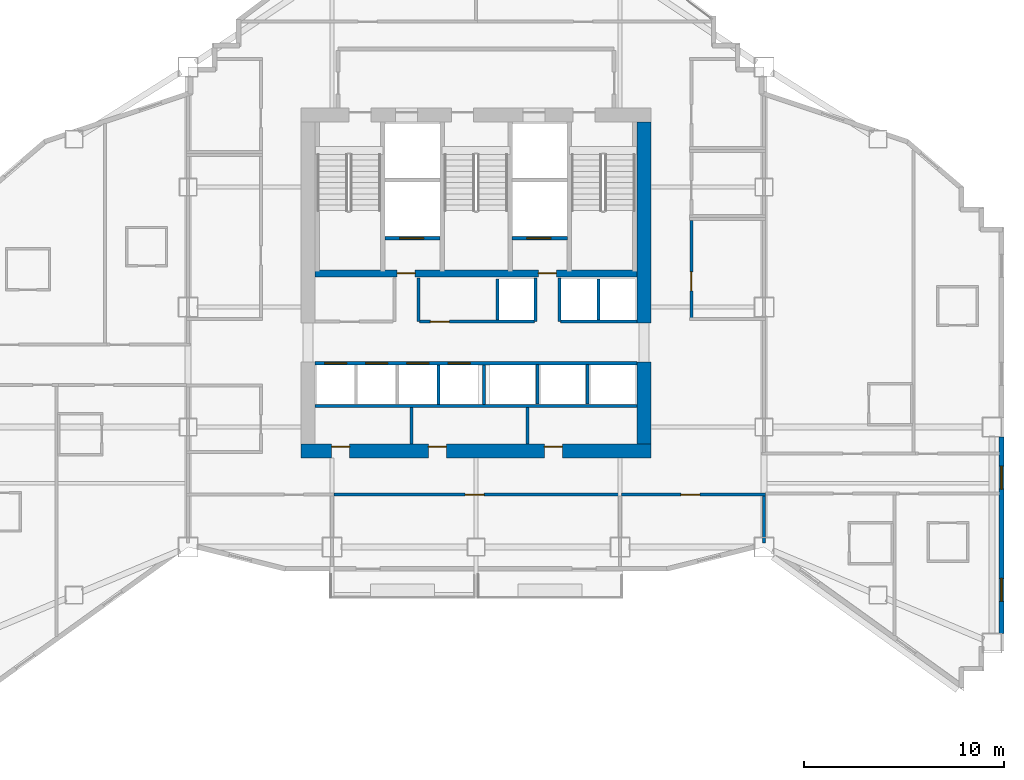
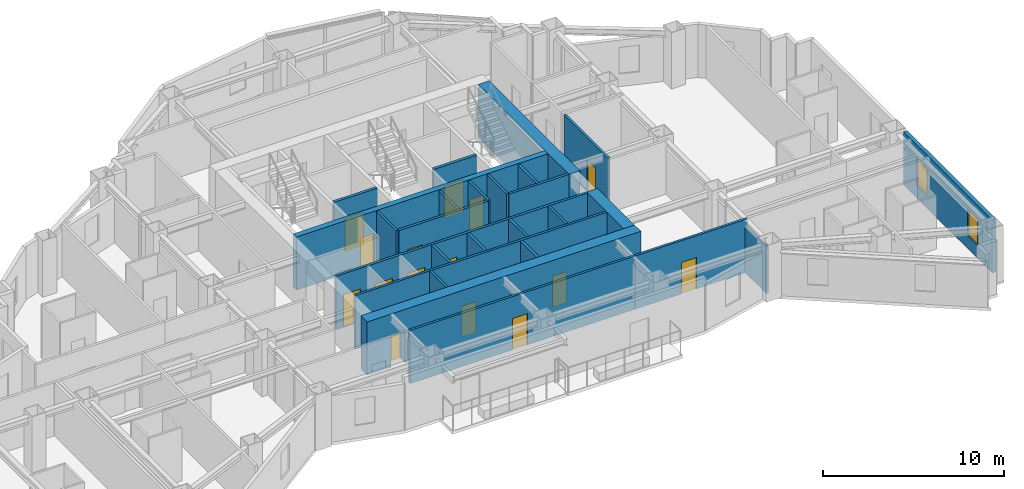
# One storey, part 7 of 14: 26 walls, 15 doors, 2 windows, 17 openings.
"""IFC4 building model written with IfcOpenShell, lengths in metres."""

from ifc_helpers import new_model, si_unit, direction, frame, frame_2d, origin, place, context, subcontext, project, spatial, rectangle, extrude, material, layer, layer_set, type_object, element, fill, save


model = new_model("IFC4")

# Units and contexts
model_context = context("Model", 3, precision=1e-05, world=origin(), true_north=direction((0.0, 1.0)))
body_context = subcontext(model_context, "Body", "Model", "MODEL_VIEW")
ifc_project = project(units=[si_unit("LENGTHUNIT", "METRE"), si_unit("AREAUNIT", "SQUARE_METRE"), si_unit("VOLUMEUNIT", "CUBIC_METRE"), si_unit("PLANEANGLEUNIT", "RADIAN"), si_unit("MASSUNIT", "GRAM", prefix="KILO")], contexts=[model_context])

# Site, building, storey
site_placement = place(None, origin())
site = spatial("IfcSite", under=ifc_project, at=site_placement, CompositionType="ELEMENT")
building_placement = place(site_placement, origin())
building = spatial("IfcBuilding", under=site, at=building_placement, Name="Haolan Belvedere Tower", CompositionType="ELEMENT")
storey_placement = place(building_placement, frame((0.0, 0.0, 109.800048828125)))
storey = spatial("IfcBuildingStorey", under=building, at=storey_placement, Name="L27", CompositionType="ELEMENT", Elevation=109.800048828125)

# Wall, openings, doors
ifc_material_1 = material(Name="Concrete C60/75", Category="concrete")
ifc_layer_1 = layer(ifc_material_1, 0.699951171875, Name="Concrete C60/75")
ifc_layer_set_1 = layer_set([ifc_layer_1], Name="Concrete C60/75")
wall_type_1 = type_object("IfcWallType", Name="WL-CORE-700", PredefinedType="SHEAR", material=ifc_layer_set_1)
wall_1_placement = place(storey_placement, frame((29.64990234375, 26.39990234375, 0.0), z_axis=(0.0, 0.0, 1.0), x_axis=(1.0, 0.0, 0.0)))
wall_1 = element("IfcWall", 1, at=wall_1_placement, inside=storey, type_object=wall_type_1, Name="L27 central core south shear wall", PredefinedType="SHEAR", context=body_context, shape_type="SweptSolid", body=[
    extrude(rectangle(XDim=17.5, YDim=0.699951171875, at=frame_2d((8.75, 0.0))), origin(), (0.0, 0.0, 1.0), 3.599853515625),
])
opening_1_placement = place(wall_1_placement, frame((2.419921875, 0.0, 0.0), z_axis=(0.0, 0.0, 1.0), x_axis=(-1.0, 0.0, 0.0)))
opening_1 = element("IfcOpeningElement", 2, at=opening_1_placement, cuts=wall_1, Name="Opening FD-05", PredefinedType="OPENING", context=body_context, shape_type="SweptSolid", body=[
    extrude(rectangle(XDim=0.89990234375, YDim=2.10009765625, at=frame_2d((0.449951171875, 1.050048828125))), frame((0.0, 0.35986328125, 0.0), z_axis=(0.0, -1.0, 0.0), x_axis=(1.0, 0.0, 0.0)), (0.0, 0.0, 1.0), 0.719970703125),
])
opening_2_placement = place(wall_1_placement, frame((7.260009765625, 0.0, 0.0), z_axis=(0.0, 0.0, 1.0), x_axis=(-1.0, 0.0, 0.0)))
opening_2 = element("IfcOpeningElement", 3, at=opening_2_placement, cuts=wall_1, Name="Opening FD-05", PredefinedType="OPENING", context=body_context, shape_type="SweptSolid", body=[
    extrude(rectangle(XDim=0.89990234375, YDim=2.10009765625, at=frame_2d((0.449951171875, 1.050048828125))), frame((0.0, 0.35986328125, 0.0), z_axis=(0.0, -1.0, 0.0), x_axis=(1.0, 0.0, 0.0)), (0.0, 0.0, 1.0), 0.719970703125),
])
opening_3_placement = place(wall_1_placement, frame((13.059814453125, 0.0, 0.0), z_axis=(0.0, 0.0, 1.0), x_axis=(-1.0, 0.0, 0.0)))
opening_3 = element("IfcOpeningElement", 4, at=opening_3_placement, cuts=wall_1, Name="Opening FD-05", PredefinedType="OPENING", context=body_context, shape_type="SweptSolid", body=[
    extrude(rectangle(XDim=0.89990234375, YDim=2.10009765625, at=frame_2d((0.449951171875, 1.050048828125))), frame((0.0, 0.35986328125, 0.0), z_axis=(0.0, -1.0, 0.0), x_axis=(1.0, 0.0, 0.0)), (0.0, 0.0, 1.0), 0.719970703125),
])
ifc_material_2 = material(Name="Galvanised fire-rated steel", Category="steel")
door_type_1 = type_object("IfcDoorType", Name="DR-FD60-900", OperationType="NOTDEFINED", PredefinedType="DOOR", material=ifc_material_2)
door_1_placement = place(opening_1_placement, origin())
door_1 = element("IfcDoor", 5, at=door_1_placement, inside=storey, type_object=door_type_1, Name="L27 door CD-L27-SCV-1", OperationType="SINGLE_SWING_LEFT", OverallHeight=2.10009765625, OverallWidth=0.89990234375, PredefinedType="DOOR", context=body_context, shape_type="SweptSolid", body=[
    extrude(rectangle(XDim=0.89990234375, YDim=2.10009765625, at=frame_2d((0.449951171875, 1.050048828125))), frame((0.0, -0.19482421875, 0.0), z_axis=(0.0, -1.0, 0.0), x_axis=(1.0, 0.0, 0.0)), (0.0, 0.0, 1.0), 0.050048828125),
])
fill(opening_1, door_1)
door_2_placement = place(opening_2_placement, origin())
door_2 = element("IfcDoor", 6, at=door_2_placement, inside=storey, type_object=door_type_1, Name="L27 door CD-L27-SCV-2", OperationType="SINGLE_SWING_RIGHT", OverallHeight=2.10009765625, OverallWidth=0.89990234375, PredefinedType="DOOR", context=body_context, shape_type="SweptSolid", body=[
    extrude(rectangle(XDim=0.89990234375, YDim=2.10009765625, at=frame_2d((0.449951171875, 1.050048828125))), frame((0.0, -0.19482421875, 0.0), z_axis=(0.0, -1.0, 0.0), x_axis=(1.0, 0.0, 0.0)), (0.0, 0.0, 1.0), 0.050048828125),
])
fill(opening_2, door_2)
door_3_placement = place(opening_3_placement, origin())
door_3 = element("IfcDoor", 7, at=door_3_placement, inside=storey, type_object=door_type_1, Name="L27 door CD-L27-SCV-3", OperationType="SINGLE_SWING_LEFT", OverallHeight=2.10009765625, OverallWidth=0.89990234375, PredefinedType="DOOR", context=body_context, shape_type="SweptSolid", body=[
    extrude(rectangle(XDim=0.89990234375, YDim=2.10009765625, at=frame_2d((0.449951171875, 1.050048828125))), frame((0.0, -0.19482421875, 0.0), z_axis=(0.0, -1.0, 0.0), x_axis=(1.0, 0.0, 0.0)), (0.0, 0.0, 1.0), 0.050048828125),
])
fill(opening_3, door_3)

# Walls
wall_2_placement = place(storey_placement, frame((46.800048828125, 26.75, 0.0), z_axis=(0.0, 0.0, 1.0), x_axis=(0.0, 1.0, 0.0)))
element("IfcWall", 8, at=wall_2_placement, inside=storey, type_object=wall_type_1, Name="L27 central core shear wall ES", PredefinedType="SHEAR", context=body_context, shape_type="SweptSolid", body=[
    extrude(rectangle(XDim=4.10009765625, YDim=0.699951171875, at=frame_2d((2.050048828125, 0.0))), origin(), (0.0, 0.0, 1.0), 3.599853515625),
])
wall_3_placement = place(storey_placement, frame((46.800048828125, 32.800048828125, 0.0), z_axis=(0.0, 0.0, 1.0), x_axis=(0.0, 1.0, 0.0)))
element("IfcWall", 9, at=wall_3_placement, inside=storey, type_object=wall_type_1, Name="L27 central core shear wall EN", PredefinedType="SHEAR", context=body_context, shape_type="SweptSolid", body=[
    extrude(rectangle(XDim=10.050048828125, YDim=0.699951171875, at=frame_2d((5.02490234375, 0.0))), origin(), (0.0, 0.0, 1.0), 3.599853515625),
])

# Wall, openings, windows
ifc_material_3 = material(Name="Precast concrete C40/50", Category="concrete")
ifc_layer_2 = layer(ifc_material_3, 0.239990234375, Name="Precast concrete C40/50")
ifc_layer_set_2 = layer_set([ifc_layer_2], Name="Precast concrete C40/50")
wall_type_2 = type_object("IfcWallType", Name="WL-EXT-240", PredefinedType="SOLIDWALL", material=ifc_layer_set_2)
wall_4_placement = place(storey_placement, frame((64.679931640625, 17.2919921875, 0.0), z_axis=(0.0, 0.0, 1.0), x_axis=(0.0, 1.0, 0.0)))
wall_4 = element("IfcWall", 10, at=wall_4_placement, inside=storey, type_object=wall_type_2, Name="L27 pale-metal exterior spandrel wall 14.1", PredefinedType="SOLIDWALL", context=body_context, shape_type="SweptSolid", body=[
    extrude(rectangle(XDim=9.81591796875, YDim=0.239990234375, at=frame_2d((4.907958984375, 0.0))), origin(), (0.0, 0.0, 1.0), 3.599853515625),
])
opening_4_placement = place(wall_4_placement, frame((1.60009765625, 0.0, 0.85009765625)))
opening_4 = element("IfcOpeningElement", 11, at=opening_4_placement, cuts=wall_4, Name="Opening W-02", PredefinedType="OPENING", context=body_context, shape_type="SweptSolid", body=[
    extrude(rectangle(XDim=1.14990234375, YDim=1.800048828125, at=frame_2d((0.574951171875, 0.89990234375))), frame((0.0, 0.1298828125, 0.0), z_axis=(0.0, -1.0, 0.0), x_axis=(1.0, 0.0, 0.0)), (0.0, 0.0, 1.0), 0.260009765625),
])
opening_5_placement = place(wall_4_placement, frame((7.212890625, 0.0, 0.85009765625)))
opening_5 = element("IfcOpeningElement", 12, at=opening_5_placement, cuts=wall_4, Name="Opening W-02", PredefinedType="OPENING", context=body_context, shape_type="SweptSolid", body=[
    extrude(rectangle(XDim=1.14990234375, YDim=1.800048828125, at=frame_2d((0.574951171875, 0.89990234375))), frame((0.0, 0.1298828125, 0.0), z_axis=(0.0, -1.0, 0.0), x_axis=(1.0, 0.0, 0.0)), (0.0, 0.0, 1.0), 0.260009765625),
])
ifc_material_4 = material(Name="Anodised aluminium 6063-T6 and Low-E glass", Category="aluminium")
window_type = type_object("IfcWindowType", Name="WN-DECO-Z2", PartitioningType="SINGLE_PANEL", PredefinedType="WINDOW", material=ifc_material_4)
window_1_placement = place(opening_4_placement, origin())
window_1 = element("IfcWindow", 13, at=window_1_placement, inside=storey, type_object=window_type, Name="L27 Art Deco chevron window 1", OverallHeight=1.800048828125, OverallWidth=1.14990234375, PartitioningType="SINGLE_PANEL", PredefinedType="WINDOW", context=body_context, shape_type="SweptSolid", body=[
    extrude(rectangle(XDim=1.14990234375, YDim=1.800048828125, at=frame_2d((0.574951171875, 0.89990234375))), frame((0.0, 0.030029296875, 0.0), z_axis=(0.0, -1.0, 0.0), x_axis=(1.0, 0.0, 0.0)), (0.0, 0.0, 1.0), 0.06005859375),
])
fill(opening_4, window_1)
window_2_placement = place(opening_5_placement, origin())
window_2 = element("IfcWindow", 14, at=window_2_placement, inside=storey, type_object=window_type, Name="L27 Art Deco chevron window 2", OverallHeight=1.800048828125, OverallWidth=1.14990234375, PartitioningType="SINGLE_PANEL", PredefinedType="WINDOW", context=body_context, shape_type="SweptSolid", body=[
    extrude(rectangle(XDim=1.14990234375, YDim=1.800048828125, at=frame_2d((0.574951171875, 0.89990234375))), frame((0.0, 0.030029296875, 0.0), z_axis=(0.0, -1.0, 0.0), x_axis=(1.0, 0.0, 0.0)), (0.0, 0.0, 1.0), 0.06005859375),
])
fill(opening_5, window_2)

# Walls
ifc_material_5 = material(Name="Double gypsum acoustic stud partition", Category="masonry")
ifc_layer_3 = layer(ifc_material_5, 0.14990234375, Name="Double gypsum acoustic stud partition")
ifc_layer_set_3 = layer_set([ifc_layer_3], Name="Double gypsum acoustic stud partition")
wall_type_3 = type_object("IfcWallType", Name="WL-PART-150", PredefinedType="PARTITIONING", material=ifc_layer_set_3)
wall_5_placement = place(storey_placement, frame((30.35009765625, 28.659912109375, 0.0), z_axis=(0.0, 0.0, 1.0), x_axis=(1.0, 0.0, 0.0)))
element("IfcWall", 15, at=wall_5_placement, inside=storey, type_object=wall_type_3, Name="L27 interior partition IW-L27-SSTRIP-N", PredefinedType="PARTITIONING", context=body_context, shape_type="SweptSolid", body=[
    extrude(rectangle(XDim=16.099853515625, YDim=0.14990234375, at=frame_2d((8.0498046875, 0.0))), origin(), (0.0, 0.0, 1.0), 3.599853515625),
])
for number, where, z_axis, x_axis, name in (
    (16, (35.179931640625, 26.760009765625, 0.0), (0.0, 0.0, 1.0), (0.0, 1.0, 0.0), "L27 interior partition IW-L27-SCV-DIV-1"),
    (17, (40.97998046875, 26.760009765625, 0.0), (0.0, 0.0, 1.0), (0.0, 1.0, 0.0), "L27 interior partition IW-L27-SCV-DIV-2"),
):
    element("IfcWall", number, at=place(storey_placement, frame(where, z_axis=z_axis, x_axis=x_axis)), inside=storey, type_object=wall_type_3, Name=name, PredefinedType="PARTITIONING", context=body_context, shape_type="SweptSolid", body=[
        extrude(rectangle(XDim=1.820068359375, YDim=0.14990234375, at=frame_2d((0.91015625, 0.0))), origin(), (0.0, 0.0, 1.0), 3.599853515625),
    ])

# Wall, opening, door
wall_6_placement = place(storey_placement, frame((49.159912109375, 33.06005859375, 0.0), z_axis=(0.0, 0.0, 1.0), x_axis=(0.0, 1.0, 0.0)))
wall_6 = element("IfcWall", 18, at=wall_6_placement, inside=storey, type_object=wall_type_3, Name="L27 interior partition IW-L27-BPN-W", PredefinedType="PARTITIONING", context=body_context, shape_type="SweptSolid", body=[
    extrude(rectangle(XDim=4.8798828125, YDim=0.14990234375, at=frame_2d((2.43994140625, 0.0))), origin(), (0.0, 0.0, 1.0), 3.599853515625),
])
opening_6_placement = place(wall_6_placement, frame((1.360107421875, 0.0, 0.0)))
opening_6 = element("IfcOpeningElement", 19, at=opening_6_placement, cuts=wall_6, Name="Opening ID-03", PredefinedType="OPENING", context=body_context, shape_type="SweptSolid", body=[
    extrude(rectangle(XDim=0.949951171875, YDim=2.1201171875, at=frame_2d((0.47509765625, 1.06005859375))), frame((0.0, 0.0849609375, 0.0), z_axis=(0.0, -1.0, 0.0), x_axis=(1.0, 0.0, 0.0)), (0.0, 0.0, 1.0), 0.169921875),
])
ifc_material_6 = material(Name="Painted solid-core timber", Category="wood")
door_type_2 = type_object("IfcDoorType", Name="DR-INT-950", OperationType="NOTDEFINED", PredefinedType="DOOR", material=ifc_material_6)
door_4_placement = place(opening_6_placement, origin())
door_4 = element("IfcDoor", 20, at=door_4_placement, inside=storey, type_object=door_type_2, Name="L27 door ID-L27-BPN", OperationType="SINGLE_SWING_RIGHT", OverallHeight=2.1201171875, OverallWidth=0.949951171875, PredefinedType="DOOR", context=body_context, shape_type="SweptSolid", body=[
    extrude(rectangle(XDim=0.949951171875, YDim=2.1201171875, at=frame_2d((0.47509765625, 1.06005859375))), frame((0.0, 0.02490234375, 0.0), z_axis=(0.0, -1.0, 0.0), x_axis=(1.0, 0.0, 0.0)), (0.0, 0.0, 1.0), 0.050048828125),
])
fill(opening_6, door_4)

wall_7_placement = place(storey_placement, frame((31.281982421875, 24.219970703125, 0.0), z_axis=(0.0, 0.0, 1.0), x_axis=(1.0, 0.0, 0.0)))
wall_7 = element("IfcWall", 21, at=wall_7_placement, inside=storey, type_object=wall_type_3, Name="L27 interior partition IW-L27-KS2-N", PredefinedType="PARTITIONING", context=body_context, shape_type="SweptSolid", body=[
    extrude(rectangle(XDim=14.39794921875, YDim=0.14990234375, at=frame_2d((7.198974609375, 0.0))), origin(), (0.0, 0.0, 1.0), 3.599853515625),
])
opening_7_placement = place(wall_7_placement, frame((7.512939453125, 0.0, 0.0), z_axis=(0.0, 0.0, 1.0), x_axis=(-1.0, 0.0, 0.0)))
opening_7 = element("IfcOpeningElement", 22, at=opening_7_placement, cuts=wall_7, Name="Opening ID-03", PredefinedType="OPENING", context=body_context, shape_type="SweptSolid", body=[
    extrude(rectangle(XDim=0.949951171875, YDim=2.1201171875, at=frame_2d((0.47509765625, 1.06005859375))), frame((0.0, 0.0849609375, 0.0), z_axis=(0.0, -1.0, 0.0), x_axis=(1.0, 0.0, 0.0)), (0.0, 0.0, 1.0), 0.169921875),
])
door_5_placement = place(opening_7_placement, origin())
door_5 = element("IfcDoor", 23, at=door_5_placement, inside=storey, type_object=door_type_2, Name="L27 door ID-L27-KS2", OperationType="SINGLE_SWING_RIGHT", OverallHeight=2.1201171875, OverallWidth=0.949951171875, PredefinedType="DOOR", context=body_context, shape_type="SweptSolid", body=[
    extrude(rectangle(XDim=0.949951171875, YDim=2.1201171875, at=frame_2d((0.47509765625, 1.06005859375))), frame((0.0, 0.02490234375, 0.0), z_axis=(0.0, -1.0, 0.0), x_axis=(1.0, 0.0, 0.0)), (0.0, 0.0, 1.0), 0.050048828125),
])
fill(opening_7, door_5)

wall_8_placement = place(storey_placement, frame((45.681884765625, 24.219970703125, 0.0), z_axis=(0.0, 0.0, 1.0), x_axis=(1.0, 0.0, 0.0)))
wall_8 = element("IfcWall", 24, at=wall_8_placement, inside=storey, type_object=wall_type_3, Name="L27 interior partition IW-L27-KS3-N", PredefinedType="PARTITIONING", context=body_context, shape_type="SweptSolid", body=[
    extrude(rectangle(XDim=7.197998046875, YDim=0.14990234375, at=frame_2d((3.59912109375, 0.0))), origin(), (0.0, 0.0, 1.0), 3.599853515625),
])
opening_8_placement = place(wall_8_placement, frame((3.912841796875, 0.0, 0.0), z_axis=(0.0, 0.0, 1.0), x_axis=(-1.0, 0.0, 0.0)))
opening_8 = element("IfcOpeningElement", 25, at=opening_8_placement, cuts=wall_8, Name="Opening ID-03", PredefinedType="OPENING", context=body_context, shape_type="SweptSolid", body=[
    extrude(rectangle(XDim=0.949951171875, YDim=2.1201171875, at=frame_2d((0.47509765625, 1.06005859375))), frame((0.0, 0.0849609375, 0.0), z_axis=(0.0, -1.0, 0.0), x_axis=(1.0, 0.0, 0.0)), (0.0, 0.0, 1.0), 0.169921875),
])
door_6_placement = place(opening_8_placement, origin())
door_6 = element("IfcDoor", 26, at=door_6_placement, inside=storey, type_object=door_type_2, Name="L27 door ID-L27-KS3", OperationType="SINGLE_SWING_LEFT", OverallHeight=2.1201171875, OverallWidth=0.949951171875, PredefinedType="DOOR", context=body_context, shape_type="SweptSolid", body=[
    extrude(rectangle(XDim=0.949951171875, YDim=2.1201171875, at=frame_2d((0.47509765625, 1.06005859375))), frame((0.0, 0.02490234375, 0.0), z_axis=(0.0, -1.0, 0.0), x_axis=(1.0, 0.0, 0.0)), (0.0, 0.0, 1.0), 0.050048828125),
])
fill(opening_8, door_6)

# Walls
wall_9_placement = place(storey_placement, frame((52.800048828125, 21.818603515625, 0.0), z_axis=(0.0, 0.0, 1.0), x_axis=(0.0, 1.0, 0.0)))
element("IfcWall", 27, at=wall_9_placement, inside=storey, type_object=wall_type_3, Name="L27 interior partition IW-L27-KS3-E", PredefinedType="PARTITIONING", context=body_context, shape_type="SweptSolid", body=[
    extrude(rectangle(XDim=2.34130859375, YDim=0.14990234375, at=frame_2d((1.170654296875, 0.0))), origin(), (0.0, 0.0, 1.0), 3.14501953125),
])
ifc_material_7 = material(Name="Gypsum fire shaftwall assembly", Category="masonry")
ifc_layer_4 = layer(ifc_material_7, 0.1650390625, Name="Gypsum fire shaftwall assembly")
ifc_layer_set_4 = layer_set([ifc_layer_4], Name="Gypsum fire shaftwall assembly")
wall_type_4 = type_object("IfcWallType", Name="WL-SHAFT-160", PredefinedType="SOLIDWALL", material=ifc_layer_set_4)
for number, where, z_axis, x_axis, name in (
    (28, (35.510009765625, 32.8798828125, 0.0), (0.0, 0.0, 1.0), (0.0, 1.0, 0.0), "L27 interior partition IW-L27-SVP-E-SV1"),
    (29, (41.3701171875, 32.8798828125, 0.0), (0.0, 0.0, 1.0), (0.0, 1.0, 0.0), "L27 interior partition IW-L27-SVP-W-SV2"),
    (30, (42.570068359375, 32.8798828125, 0.0), (0.0, 0.0, 1.0), (0.0, 1.0, 0.0), "L27 interior partition IW-L27-SVP-E-SV2"),
):
    element("IfcWall", number, at=place(storey_placement, frame(where, z_axis=z_axis, x_axis=x_axis)), inside=storey, type_object=wall_type_4, Name=name, PredefinedType="SOLIDWALL", context=body_context, shape_type="SweptSolid", body=[
        extrude(rectangle(XDim=2.170166015625, YDim=0.14990234375, at=frame_2d((1.0849609375, 0.0))), origin(), (0.0, 0.0, 1.0), 3.599853515625),
    ])

# Wall, opening, door
wall_10_placement = place(storey_placement, frame((35.570068359375, 32.8798828125, 0.0), z_axis=(0.0, 0.0, 1.0), x_axis=(1.0, 0.0, 0.0)))
wall_10 = element("IfcWall", 31, at=wall_10_placement, inside=storey, type_object=wall_type_4, Name="L27 interior partition IW-L27-ROW-PN2", PredefinedType="SOLIDWALL", context=body_context, shape_type="SweptSolid", body=[
    extrude(rectangle(XDim=5.739990234375, YDim=0.159912109375, at=frame_2d((2.8701171875, 0.0))), origin(), (0.0, 0.0, 1.0), 3.599853515625),
])
opening_9_placement = place(wall_10_placement, frame((1.489990234375, 0.0, 0.0), z_axis=(0.0, 0.0, 1.0), x_axis=(-1.0, 0.0, 0.0)))
opening_9 = element("IfcOpeningElement", 32, at=opening_9_placement, cuts=wall_10, Name="Opening ID-03", PredefinedType="OPENING", context=body_context, shape_type="SweptSolid", body=[
    extrude(rectangle(XDim=0.949951171875, YDim=2.1201171875, at=frame_2d((0.47509765625, 1.06005859375))), frame((0.0, 0.08984375, 0.0), z_axis=(0.0, -1.0, 0.0), x_axis=(1.0, 0.0, 0.0)), (0.0, 0.0, 1.0), 0.179931640625),
])
door_7_placement = place(opening_9_placement, origin())
door_7 = element("IfcDoor", 33, at=door_7_placement, inside=storey, type_object=door_type_2, Name="L27 door ID-L27-CD-RPLE", OperationType="SINGLE_SWING_RIGHT", OverallHeight=2.1201171875, OverallWidth=0.949951171875, PredefinedType="DOOR", context=body_context, shape_type="SweptSolid", body=[
    extrude(rectangle(XDim=0.949951171875, YDim=2.1201171875, at=frame_2d((0.47509765625, 1.06005859375))), frame((0.0, 0.02490234375, 0.0), z_axis=(0.0, -1.0, 0.0), x_axis=(1.0, 0.0, 0.0)), (0.0, 0.0, 1.0), 0.050048828125),
])
fill(opening_9, door_7)

# Walls
wall_11_placement = place(storey_placement, frame((42.6298828125, 32.8798828125, 0.0), z_axis=(0.0, 0.0, 1.0), x_axis=(1.0, 0.0, 0.0)))
element("IfcWall", 34, at=wall_11_placement, inside=storey, type_object=wall_type_4, Name="L27 interior partition IW-L27-ROW-PN3", PredefinedType="SOLIDWALL", context=body_context, shape_type="SweptSolid", body=[
    extrude(rectangle(XDim=3.820068359375, YDim=0.159912109375, at=frame_2d((1.91015625, 0.0))), origin(), (0.0, 0.0, 1.0), 3.599853515625),
])
for number, where, z_axis, x_axis, name in (
    (35, (39.469970703125, 32.949951171875, 0.0), (0.0, 0.0, 1.0), (0.0, 1.0, 0.0), "L27 interior partition IW-L27-DIV-PL4R"),
    (36, (44.530029296875, 32.949951171875, 0.0), (0.0, 0.0, 1.0), (0.0, 1.0, 0.0), "L27 interior partition IW-L27-DIV-PH2"),
):
    element("IfcWall", number, at=place(storey_placement, frame(where, z_axis=z_axis, x_axis=x_axis)), inside=storey, type_object=wall_type_4, Name=name, PredefinedType="SOLIDWALL", context=body_context, shape_type="SweptSolid", body=[
        extrude(rectangle(XDim=2.050048828125, YDim=0.14990234375, at=frame_2d((1.02490234375, 0.0))), origin(), (0.0, 0.0, 1.0), 3.599853515625),
    ])

# Wall, openings, doors
wall_12_placement = place(storey_placement, frame((30.35009765625, 30.800048828125, 0.0), z_axis=(0.0, 0.0, 1.0), x_axis=(1.0, 0.0, 0.0)))
wall_12 = element("IfcWall", 37, at=wall_12_placement, inside=storey, type_object=wall_type_4, Name="L27 interior partition IW-L27-ROW-PS", PredefinedType="SOLIDWALL", context=body_context, shape_type="SweptSolid", body=[
    extrude(rectangle(XDim=16.099853515625, YDim=0.159912109375, at=frame_2d((8.0498046875, 0.0))), origin(), (0.0, 0.0, 1.0), 3.599853515625),
])
opening_10_placement = place(wall_12_placement, frame((0.469970703125, 0.0, 0.0)))
opening_10 = element("IfcOpeningElement", 38, at=opening_10_placement, cuts=wall_12, Name="Opening LD-01", PredefinedType="OPENING", context=body_context, shape_type="SweptSolid", body=[
    extrude(rectangle(XDim=1.10009765625, YDim=2.199951171875, at=frame_2d((0.550048828125, 1.10009765625))), frame((0.0, 0.08984375, 0.0), z_axis=(0.0, -1.0, 0.0), x_axis=(1.0, 0.0, 0.0)), (0.0, 0.0, 1.0), 0.179931640625),
])
opening_11_placement = place(wall_12_placement, frame((2.530029296875, 0.0, 0.0)))
opening_11 = element("IfcOpeningElement", 39, at=opening_11_placement, cuts=wall_12, Name="Opening LD-01", PredefinedType="OPENING", context=body_context, shape_type="SweptSolid", body=[
    extrude(rectangle(XDim=1.10009765625, YDim=2.199951171875, at=frame_2d((0.550048828125, 1.10009765625))), frame((0.0, 0.08984375, 0.0), z_axis=(0.0, -1.0, 0.0), x_axis=(1.0, 0.0, 0.0)), (0.0, 0.0, 1.0), 0.179931640625),
])
opening_12_placement = place(wall_12_placement, frame((4.590087890625, 0.0, 0.0)))
opening_12 = element("IfcOpeningElement", 40, at=opening_12_placement, cuts=wall_12, Name="Opening LD-01", PredefinedType="OPENING", context=body_context, shape_type="SweptSolid", body=[
    extrude(rectangle(XDim=1.10009765625, YDim=2.199951171875, at=frame_2d((0.550048828125, 1.10009765625))), frame((0.0, 0.08984375, 0.0), z_axis=(0.0, -1.0, 0.0), x_axis=(1.0, 0.0, 0.0)), (0.0, 0.0, 1.0), 0.179931640625),
])
opening_13_placement = place(wall_12_placement, frame((6.64990234375, 0.0, 0.0)))
opening_13 = element("IfcOpeningElement", 41, at=opening_13_placement, cuts=wall_12, Name="Opening LD-01", PredefinedType="OPENING", context=body_context, shape_type="SweptSolid", body=[
    extrude(rectangle(XDim=1.10009765625, YDim=2.199951171875, at=frame_2d((0.550048828125, 1.10009765625))), frame((0.0, 0.08984375, 0.0), z_axis=(0.0, -1.0, 0.0), x_axis=(1.0, 0.0, 0.0)), (0.0, 0.0, 1.0), 0.179931640625),
])
ifc_material_8 = material(Name="Brushed champagne stainless steel 316L", Category="steel")
door_type_3 = type_object("IfcDoorType", Name="DR-LIFT-1100", OperationType="SLIDING_TO_LEFT", PredefinedType="DOOR", material=ifc_material_8)
door_8_placement = place(opening_10_placement, origin())
door_8 = element("IfcDoor", 42, at=door_8_placement, inside=storey, type_object=door_type_3, Name="L27 door ID-L27-LD-PM1", OperationType="SLIDING_TO_LEFT", OverallHeight=2.199951171875, OverallWidth=1.10009765625, PredefinedType="DOOR", context=body_context, shape_type="SweptSolid", body=[
    extrude(rectangle(XDim=1.10009765625, YDim=2.199951171875, at=frame_2d((0.550048828125, 1.10009765625))), frame((0.0, 0.02490234375, 0.0), z_axis=(0.0, -1.0, 0.0), x_axis=(1.0, 0.0, 0.0)), (0.0, 0.0, 1.0), 0.050048828125),
])
fill(opening_10, door_8)
door_9_placement = place(opening_11_placement, origin())
door_9 = element("IfcDoor", 43, at=door_9_placement, inside=storey, type_object=door_type_3, Name="L27 door ID-L27-LD-PM2", OperationType="SLIDING_TO_LEFT", OverallHeight=2.199951171875, OverallWidth=1.10009765625, PredefinedType="DOOR", context=body_context, shape_type="SweptSolid", body=[
    extrude(rectangle(XDim=1.10009765625, YDim=2.199951171875, at=frame_2d((0.550048828125, 1.10009765625))), frame((0.0, 0.02490234375, 0.0), z_axis=(0.0, -1.0, 0.0), x_axis=(1.0, 0.0, 0.0)), (0.0, 0.0, 1.0), 0.050048828125),
])
fill(opening_11, door_9)
door_10_placement = place(opening_12_placement, origin())
door_10 = element("IfcDoor", 44, at=door_10_placement, inside=storey, type_object=door_type_3, Name="L27 door ID-L27-LD-PM3", OperationType="SLIDING_TO_LEFT", OverallHeight=2.199951171875, OverallWidth=1.10009765625, PredefinedType="DOOR", context=body_context, shape_type="SweptSolid", body=[
    extrude(rectangle(XDim=1.10009765625, YDim=2.199951171875, at=frame_2d((0.550048828125, 1.10009765625))), frame((0.0, 0.02490234375, 0.0), z_axis=(0.0, -1.0, 0.0), x_axis=(1.0, 0.0, 0.0)), (0.0, 0.0, 1.0), 0.050048828125),
])
fill(opening_12, door_10)
door_11_placement = place(opening_13_placement, origin())
door_11 = element("IfcDoor", 45, at=door_11_placement, inside=storey, type_object=door_type_3, Name="L27 door ID-L27-LD-PM4", OperationType="SLIDING_TO_LEFT", OverallHeight=2.199951171875, OverallWidth=1.10009765625, PredefinedType="DOOR", context=body_context, shape_type="SweptSolid", body=[
    extrude(rectangle(XDim=1.10009765625, YDim=2.199951171875, at=frame_2d((0.550048828125, 1.10009765625))), frame((0.0, 0.02490234375, 0.0), z_axis=(0.0, -1.0, 0.0), x_axis=(1.0, 0.0, 0.0)), (0.0, 0.0, 1.0), 0.050048828125),
])
fill(opening_13, door_11)

# Walls
for number, where, z_axis, x_axis, name in (
    (46, (36.52001953125, 28.735107421875, 0.0), (0.0, 0.0, 1.0), (0.0, 1.0, 0.0), "L27 interior partition IW-L27-DIV-PM3"),
    (47, (38.800048828125, 28.735107421875, 0.0), (0.0, 0.0, 1.0), (0.0, 1.0, 0.0), "L27 interior partition IW-L27-DIV-PM4"),
):
    element("IfcWall", number, at=place(storey_placement, frame(where, z_axis=z_axis, x_axis=x_axis)), inside=storey, type_object=wall_type_4, Name=name, PredefinedType="SOLIDWALL", context=body_context, shape_type="SweptSolid", body=[
        extrude(rectangle(XDim=1.98486328125, YDim=0.14990234375, at=frame_2d((0.992431640625, 0.0))), origin(), (0.0, 0.0, 1.0), 3.599853515625),
    ])
for number, where, z_axis, x_axis, name in (
    (48, (41.469970703125, 28.75, 0.0), (0.0, 0.0, 1.0), (0.0, 1.0, 0.0), "L27 interior partition IW-L27-DIV-OB1"),
    (49, (43.97998046875, 28.75, 0.0), (0.0, 0.0, 1.0), (0.0, 1.0, 0.0), "L27 interior partition IW-L27-DIV-OB2"),
):
    element("IfcWall", number, at=place(storey_placement, frame(where, z_axis=z_axis, x_axis=x_axis)), inside=storey, type_object=wall_type_4, Name=name, PredefinedType="SOLIDWALL", context=body_context, shape_type="SweptSolid", body=[
        extrude(rectangle(XDim=1.985107421875, YDim=0.14990234375, at=frame_2d((0.99267578125, 0.0))), origin(), (0.0, 0.0, 1.0), 3.599853515625),
    ])

# Wall, opening, door
ifc_layer_5 = layer(ifc_material_3, 0.179931640625, Name="Precast concrete C40/50")
ifc_layer_set_5 = layer_set([ifc_layer_5], Name="Precast concrete C40/50")
wall_type_5 = type_object("IfcWallType", Name="WL-SHAFT-180", PredefinedType="SOLIDWALL", material=ifc_layer_set_5)
wall_13_placement = place(storey_placement, frame((33.8349609375, 37.050048828125, 0.0), z_axis=(0.0, 0.0, 1.0), x_axis=(1.0, 0.0, 0.0)))
wall_13 = element("IfcWall", 50, at=wall_13_placement, inside=storey, type_object=wall_type_5, Name="L27 interior partition IW-L27-SV1-S", PredefinedType="SOLIDWALL", context=body_context, shape_type="SweptSolid", body=[
    extrude(rectangle(XDim=2.77001953125, YDim=0.179931640625, at=frame_2d((1.385009765625, 0.0))), origin(), (0.0, 0.0, 1.0), 3.599853515625),
])
opening_14_placement = place(wall_13_placement, frame((1.945068359375, 0.0, 0.0), z_axis=(0.0, 0.0, 1.0), x_axis=(-1.0, 0.0, 0.0)))
opening_14 = element("IfcOpeningElement", 51, at=opening_14_placement, cuts=wall_13, Name="Opening LD-02", PredefinedType="OPENING", context=body_context, shape_type="SweptSolid", body=[
    extrude(rectangle(XDim=1.199951171875, YDim=2.199951171875, at=frame_2d((0.60009765625, 1.10009765625))), frame((0.0, 0.099853515625, 0.0), z_axis=(0.0, -1.0, 0.0), x_axis=(1.0, 0.0, 0.0)), (0.0, 0.0, 1.0), 0.199951171875),
])
door_type_4 = type_object("IfcDoorType", Name="DR-LIFT-1200", OperationType="SLIDING_TO_RIGHT", PredefinedType="DOOR", material=ifc_material_8)
door_12_placement = place(opening_14_placement, origin())
door_12 = element("IfcDoor", 52, at=door_12_placement, inside=storey, type_object=door_type_4, Name="L27 door ID-L27-LD-SV1", OperationType="SLIDING_TO_RIGHT", OverallHeight=2.199951171875, OverallWidth=1.199951171875, PredefinedType="DOOR", context=body_context, shape_type="SweptSolid", body=[
    extrude(rectangle(XDim=1.199951171875, YDim=2.199951171875, at=frame_2d((0.60009765625, 1.10009765625))), frame((0.0, 0.02490234375, 0.0), z_axis=(0.0, -1.0, 0.0), x_axis=(1.0, 0.0, 0.0)), (0.0, 0.0, 1.0), 0.050048828125),
])
fill(opening_14, door_12)

wall_14_placement = place(storey_placement, frame((40.195068359375, 37.050048828125, 0.0), z_axis=(0.0, 0.0, 1.0), x_axis=(1.0, 0.0, 0.0)))
wall_14 = element("IfcWall", 53, at=wall_14_placement, inside=storey, type_object=wall_type_5, Name="L27 interior partition IW-L27-SV2-S", PredefinedType="SOLIDWALL", context=body_context, shape_type="SweptSolid", body=[
    extrude(rectangle(XDim=2.77001953125, YDim=0.179931640625, at=frame_2d((1.385009765625, 0.0))), origin(), (0.0, 0.0, 1.0), 3.599853515625),
])
opening_15_placement = place(wall_14_placement, frame((1.945068359375, 0.0, 0.0), z_axis=(0.0, 0.0, 1.0), x_axis=(-1.0, 0.0, 0.0)))
opening_15 = element("IfcOpeningElement", 54, at=opening_15_placement, cuts=wall_14, Name="Opening LD-02", PredefinedType="OPENING", context=body_context, shape_type="SweptSolid", body=[
    extrude(rectangle(XDim=1.199951171875, YDim=2.199951171875, at=frame_2d((0.60009765625, 1.10009765625))), frame((0.0, 0.099853515625, 0.0), z_axis=(0.0, -1.0, 0.0), x_axis=(1.0, 0.0, 0.0)), (0.0, 0.0, 1.0), 0.199951171875),
])
door_13_placement = place(opening_15_placement, origin())
door_13 = element("IfcDoor", 55, at=door_13_placement, inside=storey, type_object=door_type_4, Name="L27 door ID-L27-LD-SV2", OperationType="SLIDING_TO_RIGHT", OverallHeight=2.199951171875, OverallWidth=1.199951171875, PredefinedType="DOOR", context=body_context, shape_type="SweptSolid", body=[
    extrude(rectangle(XDim=1.199951171875, YDim=2.199951171875, at=frame_2d((0.60009765625, 1.10009765625))), frame((0.0, 0.02490234375, 0.0), z_axis=(0.0, -1.0, 0.0), x_axis=(1.0, 0.0, 0.0)), (0.0, 0.0, 1.0), 0.050048828125),
])
fill(opening_15, door_13)

# Wall, openings, doors
ifc_layer_6 = layer(ifc_material_1, 0.360107421875, Name="Concrete C60/75")
ifc_layer_set_6 = layer_set([ifc_layer_6], Name="Concrete C60/75")
wall_type_6 = type_object("IfcWallType", Name="WL-WEB-350", PredefinedType="SHEAR", material=ifc_layer_set_6)
wall_15_placement = place(storey_placement, frame((30.35009765625, 35.2900390625, 0.0), z_axis=(0.0, 0.0, 1.0), x_axis=(1.0, 0.0, 0.0)))
wall_15 = element("IfcWall", 56, at=wall_15_placement, inside=storey, type_object=wall_type_6, Name="L27 central core internal shear web", PredefinedType="SHEAR", context=body_context, shape_type="SweptSolid", body=[
    extrude(rectangle(XDim=16.099853515625, YDim=0.360107421875, at=frame_2d((8.0498046875, 0.0))), origin(), (0.0, 0.0, 1.0), 3.599853515625),
])
opening_16_placement = place(wall_15_placement, frame((5.0, 0.0, 0.0), z_axis=(0.0, 0.0, 1.0), x_axis=(-1.0, 0.0, 0.0)))
opening_16 = element("IfcOpeningElement", 57, at=opening_16_placement, cuts=wall_15, Name="Opening FD-05", PredefinedType="OPENING", context=body_context, shape_type="SweptSolid", body=[
    extrude(rectangle(XDim=0.89990234375, YDim=2.10009765625, at=frame_2d((0.449951171875, 1.050048828125))), frame((0.0, 0.18994140625, 0.0), z_axis=(0.0, -1.0, 0.0), x_axis=(1.0, 0.0, 0.0)), (0.0, 0.0, 1.0), 0.380126953125),
])
opening_17_placement = place(wall_15_placement, frame((12.059814453125, 0.0, 0.0), z_axis=(0.0, 0.0, 1.0), x_axis=(-1.0, 0.0, 0.0)))
opening_17 = element("IfcOpeningElement", 58, at=opening_17_placement, cuts=wall_15, Name="Opening FD-05", PredefinedType="OPENING", context=body_context, shape_type="SweptSolid", body=[
    extrude(rectangle(XDim=0.89990234375, YDim=2.10009765625, at=frame_2d((0.449951171875, 1.050048828125))), frame((0.0, 0.18994140625, 0.0), z_axis=(0.0, -1.0, 0.0), x_axis=(1.0, 0.0, 0.0)), (0.0, 0.0, 1.0), 0.380126953125),
])
door_14_placement = place(opening_16_placement, origin())
door_14 = element("IfcDoor", 59, at=door_14_placement, inside=storey, type_object=door_type_1, Name="L27 door CD-L27-SVL-SV1", OperationType="SINGLE_SWING_RIGHT", OverallHeight=2.10009765625, OverallWidth=0.89990234375, PredefinedType="DOOR", context=body_context, shape_type="SweptSolid", body=[
    extrude(rectangle(XDim=0.89990234375, YDim=2.10009765625, at=frame_2d((0.449951171875, 1.050048828125))), frame((0.0, 0.02490234375, 0.0), z_axis=(0.0, -1.0, 0.0), x_axis=(1.0, 0.0, 0.0)), (0.0, 0.0, 1.0), 0.050048828125),
])
fill(opening_16, door_14)
door_15_placement = place(opening_17_placement, origin())
door_15 = element("IfcDoor", 60, at=door_15_placement, inside=storey, type_object=door_type_1, Name="L27 door CD-L27-SVL-SV2", OperationType="SINGLE_SWING_RIGHT", OverallHeight=2.10009765625, OverallWidth=0.89990234375, PredefinedType="DOOR", context=body_context, shape_type="SweptSolid", body=[
    extrude(rectangle(XDim=0.89990234375, YDim=2.10009765625, at=frame_2d((0.449951171875, 1.050048828125))), frame((0.0, 0.02490234375, 0.0), z_axis=(0.0, -1.0, 0.0), x_axis=(1.0, 0.0, 0.0)), (0.0, 0.0, 1.0), 0.050048828125),
])
fill(opening_17, door_15)

save(model, "model.ifc")
